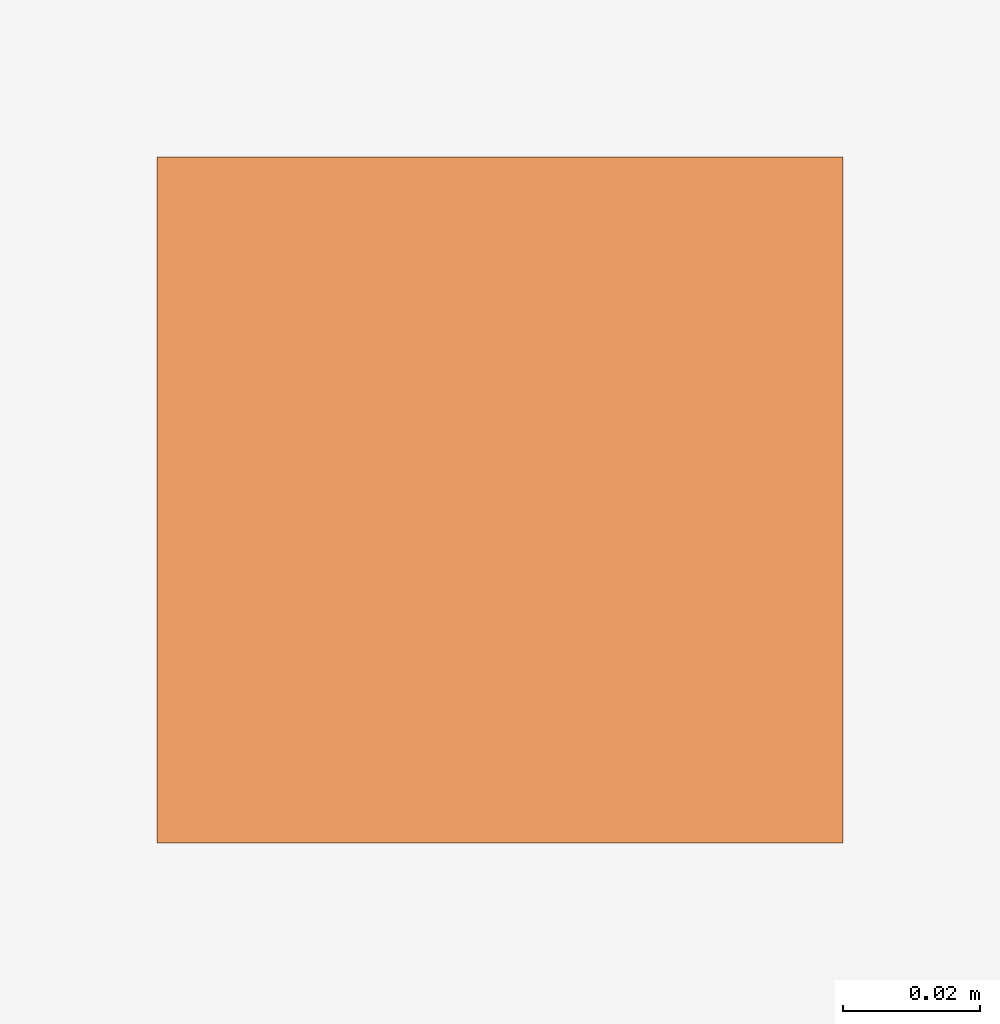
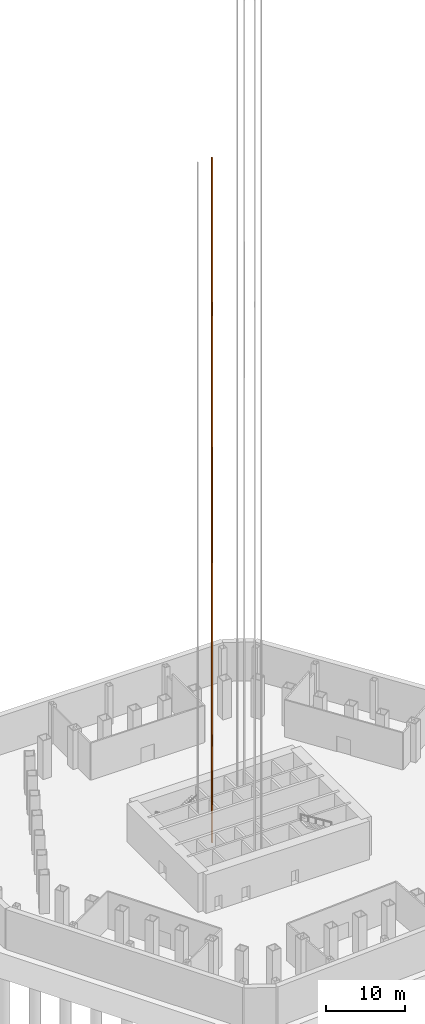
# One storey, part 10 of 12: 1 proxy.
"""IFC4 building model written with IfcOpenShell, lengths in metres."""

from ifc_helpers import new_model, si_unit, direction, frame, origin, origin_2d, place, context, subcontext, project, spatial, rectangle, extrude, material, type_object, element, save


model = new_model("IFC4")

# Units and contexts
model_context = context("Model", 3, precision=1e-05, world=origin(), true_north=direction((0.0, 1.0)))
body_context = subcontext(model_context, "Body", "Model", "MODEL_VIEW")
ifc_project = project(units=[si_unit("LENGTHUNIT", "METRE"), si_unit("AREAUNIT", "SQUARE_METRE"), si_unit("VOLUMEUNIT", "CUBIC_METRE"), si_unit("PLANEANGLEUNIT", "RADIAN"), si_unit("MASSUNIT", "GRAM", prefix="KILO")], contexts=[model_context])

# Site, building, storey
site_placement = place(None, origin())
site = spatial("IfcSite", under=ifc_project, at=site_placement, CompositionType="ELEMENT")
building_placement = place(site_placement, origin())
building = spatial("IfcBuilding", under=site, at=building_placement, Name="Qingtian Harvest Tower", CompositionType="ELEMENT")
storey_placement = place(building_placement, frame((0.0, 0.0, -12.0)))
storey = spatial("IfcBuildingStorey", under=building, at=storey_placement, Name="B2", CompositionType="ELEMENT", Elevation=-12.0)

# Proxy
ifc_material = material(Name="Steel SN490B", Category="steel")
building_element_proxy_type = type_object("IfcBuildingElementProxyType", Name="Lift guide rail LR1", PredefinedType="NOTDEFINED", material=ifc_material)
proxy_placement = place(storey_placement, frame((-3.449951171875, 3.52490234375, 0.0), z_axis=(0.0, 0.0, 1.0), x_axis=(1.0, 0.0, 0.0)))
element("IfcBuildingElementProxy", 1, at=proxy_placement, inside=storey, type_object=building_element_proxy_type, Name="Lift GL1 guide rail 2", PredefinedType="NOTDEFINED", context=body_context, shape_type="SweptSolid", body=[
    extrude(rectangle(XDim=0.10009765625, YDim=0.10009765625, at=origin_2d()), origin(), (0.0, 0.0, 1.0), 106.39990234375),
])

save(model, "model.ifc")
